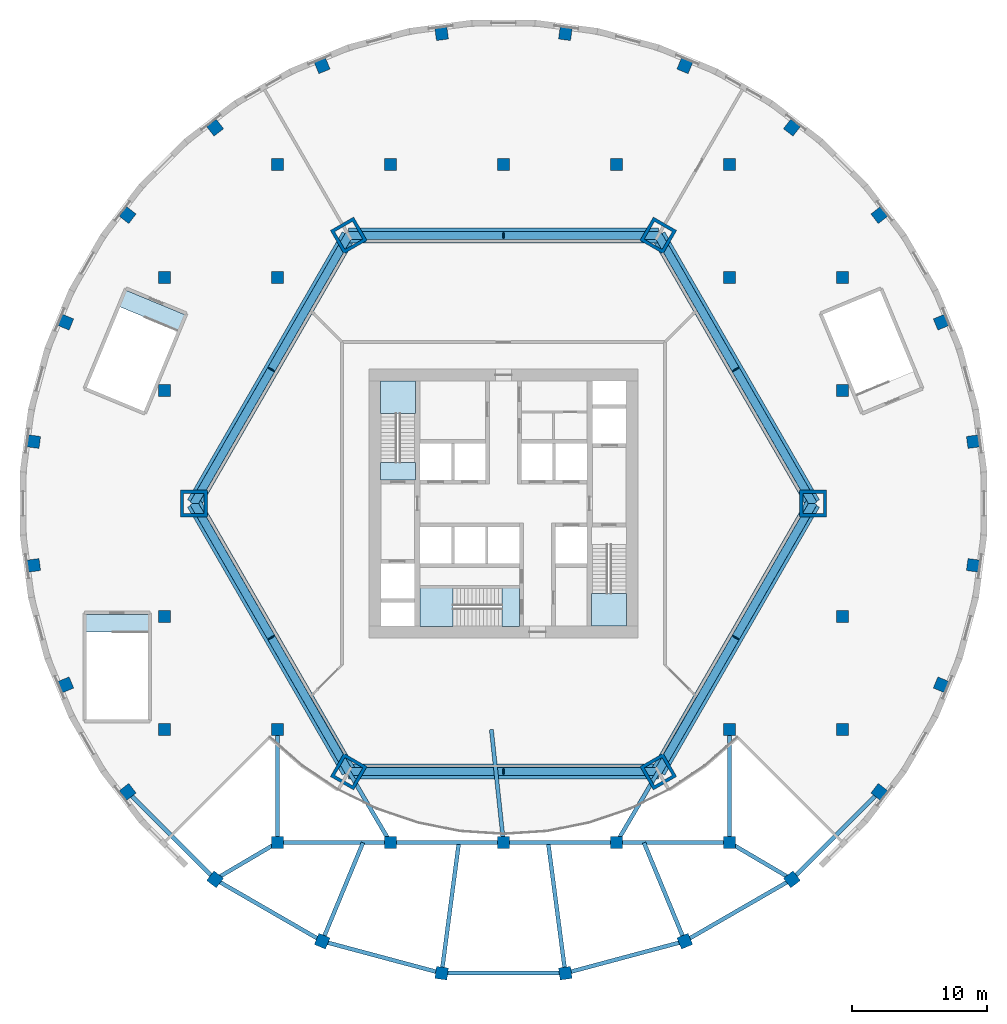
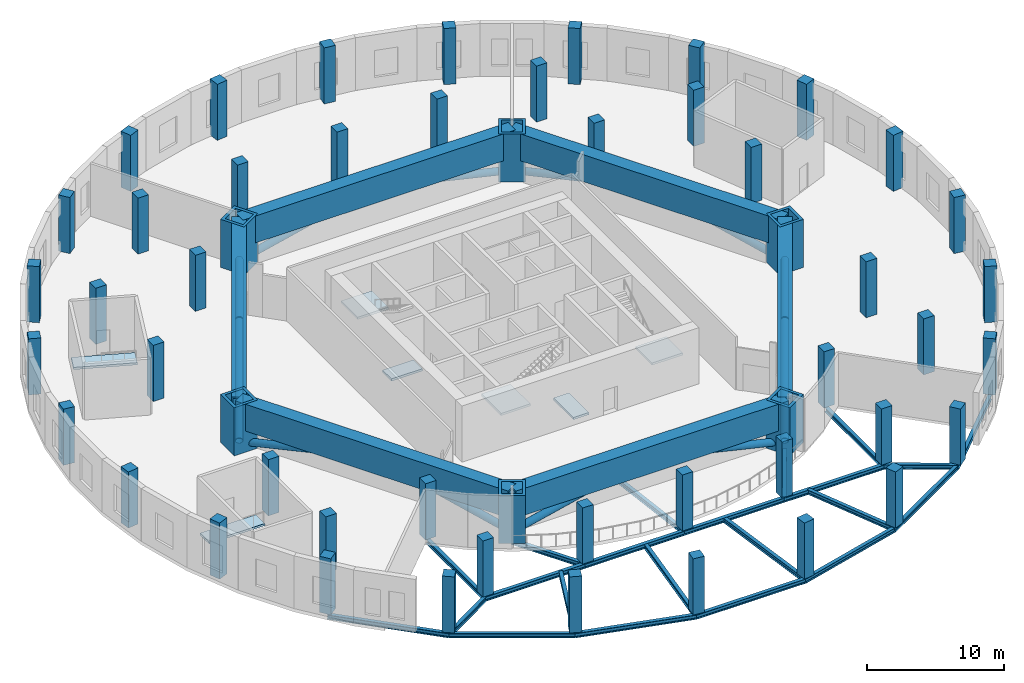
# One storey, part 1 of 10: 52 columns, 28 beams, 12 members, 7 slabs, 3 elements without a shape of their own.
"""IFC4 building model written with IfcOpenShell, lengths in metres."""

from ifc_helpers import new_model, si_unit, direction, frame, origin, origin_2d, place, context, subcontext, project, spatial, polyline, rectangle, hollow_rectangle, hollow_circle, i_section, outline, extrude, material, layer, layer_set, material_profile, profile_set, type_object, element, aggregate, save


model = new_model("IFC4")

# Units and contexts
model_context = context("Model", 3, precision=1e-05, world=origin(), true_north=direction((0.0, 1.0)))
body_context = subcontext(model_context, "Body", "Model", "MODEL_VIEW")
ifc_project = project(units=[si_unit("LENGTHUNIT", "METRE"), si_unit("AREAUNIT", "SQUARE_METRE"), si_unit("VOLUMEUNIT", "CUBIC_METRE"), si_unit("PLANEANGLEUNIT", "RADIAN"), si_unit("MASSUNIT", "GRAM", prefix="KILO")], contexts=[model_context])

# Site, building, storey
site_placement = place(None, origin())
site = spatial("IfcSite", under=ifc_project, at=site_placement, CompositionType="ELEMENT")
building_placement = place(site_placement, origin())
building = spatial("IfcBuilding", under=site, at=building_placement, Name="Golbaran Civic Tower", CompositionType="ELEMENT")
storey_placement = place(building_placement, frame((0.0, 0.0, 16.0)))
storey = spatial("IfcBuildingStorey", under=building, at=storey_placement, Name="L03", CompositionType="ELEMENT", Elevation=16.0)

# Columns
ifc_material_1 = material(Name="Steel S355", Category="steel")
ifc_material_profile_1 = material_profile(ifc_material_1, hollow_rectangle(XDim=2.0, YDim=2.0, WallThickness=0.239990234375, at=origin_2d()), Name="BOX 2000x2000x240")
ifc_profile_set_1 = profile_set([ifc_material_profile_1], Name="Steel S355")
column_type_1 = type_object("IfcColumnType", Name="MEGA COLUMN BOX 2000x2000x240", PredefinedType="COLUMN", material=ifc_profile_set_1)
for number, where, z_axis, x_axis, name in (
    (1, (23.0, 0.0, 0.0), (0.0, 0.0, 1.0), (1.0, 0.0, 0.0), "Column mega 0 L03"),
    (2, (11.5, 19.918701171875, 0.0), (0.0, 0.0, 1.0), (0.5, 0.866025403784, 0.0), "Column mega 60 L03"),
    (3, (-11.5, 19.918701171875, 0.0), (0.0, 0.0, 1.0), (-0.5, 0.866025403784, 0.0), "Column mega 120 L03"),
    (4, (-23.0, 0.0, 0.0), (0.0, 0.0, 1.0), (-1.0, 0.0, 0.0), "Column mega 180 L03"),
    (5, (-11.5, -19.918701171875, 0.0), (0.0, 0.0, 1.0), (-0.5, -0.866025403784, 0.0), "Column mega 240 L03"),
    (6, (11.5, -19.918701171875, 0.0), (0.0, 0.0, 1.0), (0.5, -0.866025403784, 0.0), "Column mega 300 L03"),
):
    element("IfcColumn", number, at=place(storey_placement, frame(where, z_axis=z_axis, x_axis=x_axis)), inside=storey, type_object=column_type_1, Name=name, PredefinedType="COLUMN", context=body_context, shape_type="SweptSolid", body=[
        extrude(hollow_rectangle(XDim=2.0, YDim=2.0, WallThickness=0.239990234375, at=origin_2d()), origin(), (0.0, 0.0, 1.0), 4.2900390625),
    ])
ifc_material_2 = material(Name="Concrete C50/60", Category="concrete")
ifc_material_profile_2 = material_profile(ifc_material_2, rectangle(XDim=0.89990234375, YDim=0.89990234375, at=origin_2d()), Name="RC 900x900")
ifc_profile_set_2 = profile_set([ifc_material_profile_2], Name="Concrete C50/60")
column_type_2 = type_object("IfcColumnType", Name="PODIUM COLUMN RC 900x900", PredefinedType="COLUMN", material=ifc_profile_set_2)
for number, where, z_axis, x_axis, name in (
    (7, (-25.199951171875, -16.800048828125, 0.0), (0.0, 0.0, 1.0), (1.0, 0.0, 0.0), "Column 3/D L03"),
    (8, (-25.199951171875, -8.39990234375, 0.0), (0.0, 0.0, 1.0), (1.0, 0.0, 0.0), "Column 3/E L03"),
    (9, (-25.199951171875, 8.39990234375, 0.0), (0.0, 0.0, 1.0), (1.0, 0.0, 0.0), "Column 3/G L03"),
    (10, (-25.199951171875, 16.800048828125, 0.0), (0.0, 0.0, 1.0), (1.0, 0.0, 0.0), "Column 3/H L03"),
    (11, (-16.800048828125, -25.199951171875, 0.0), (0.0, 0.0, 1.0), (1.0, 0.0, 0.0), "Column 4/C L03"),
    (12, (-16.800048828125, -16.800048828125, 0.0), (0.0, 0.0, 1.0), (1.0, 0.0, 0.0), "Column 4/D L03"),
    (13, (-16.800048828125, 16.800048828125, 0.0), (0.0, 0.0, 1.0), (1.0, 0.0, 0.0), "Column 4/H L03"),
    (14, (-16.800048828125, 25.199951171875, 0.0), (0.0, 0.0, 1.0), (1.0, 0.0, 0.0), "Column 4/J L03"),
    (15, (-8.39990234375, -25.199951171875, 0.0), (0.0, 0.0, 1.0), (1.0, 0.0, 0.0), "Column 5/C L03"),
    (16, (-8.39990234375, 25.199951171875, 0.0), (0.0, 0.0, 1.0), (1.0, 0.0, 0.0), "Column 5/J L03"),
    (17, (0.0, -25.199951171875, 0.0), (0.0, 0.0, 1.0), (1.0, 0.0, 0.0), "Column 6/C L03"),
    (18, (0.0, 25.199951171875, 0.0), (0.0, 0.0, 1.0), (1.0, 0.0, 0.0), "Column 6/J L03"),
    (19, (8.39990234375, -25.199951171875, 0.0), (0.0, 0.0, 1.0), (1.0, 0.0, 0.0), "Column 7/C L03"),
    (20, (8.39990234375, 25.199951171875, 0.0), (0.0, 0.0, 1.0), (1.0, 0.0, 0.0), "Column 7/J L03"),
    (21, (16.800048828125, -25.199951171875, 0.0), (0.0, 0.0, 1.0), (1.0, 0.0, 0.0), "Column 8/C L03"),
    (22, (16.800048828125, -16.800048828125, 0.0), (0.0, 0.0, 1.0), (1.0, 0.0, 0.0), "Column 8/D L03"),
    (23, (16.800048828125, 16.800048828125, 0.0), (0.0, 0.0, 1.0), (1.0, 0.0, 0.0), "Column 8/H L03"),
    (24, (16.800048828125, 25.199951171875, 0.0), (0.0, 0.0, 1.0), (1.0, 0.0, 0.0), "Column 8/J L03"),
    (25, (25.199951171875, -16.800048828125, 0.0), (0.0, 0.0, 1.0), (1.0, 0.0, 0.0), "Column 9/D L03"),
    (26, (25.199951171875, -8.39990234375, 0.0), (0.0, 0.0, 1.0), (1.0, 0.0, 0.0), "Column 9/E L03"),
    (27, (25.199951171875, 8.39990234375, 0.0), (0.0, 0.0, 1.0), (1.0, 0.0, 0.0), "Column 9/G L03"),
    (28, (25.199951171875, 16.800048828125, 0.0), (0.0, 0.0, 1.0), (1.0, 0.0, 0.0), "Column 9/H L03"),
):
    element("IfcColumn", number, at=place(storey_placement, frame(where, z_axis=z_axis, x_axis=x_axis)), inside=storey, type_object=column_type_2, Name=name, PredefinedType="COLUMN", context=body_context, shape_type="SweptSolid", body=[
        extrude(rectangle(XDim=0.89990234375, YDim=0.89990234375, at=origin_2d()), origin(), (0.0, 0.0, 1.0), 5.0),
    ])
ifc_material_profile_3 = material_profile(ifc_material_2, rectangle(XDim=0.89990234375, YDim=0.89990234375, at=origin_2d()), Name="RC 900x900")
ifc_profile_set_3 = profile_set([ifc_material_profile_3], Name="Concrete C50/60")
column_type_3 = type_object("IfcColumnType", Name="PODIUM EDGE COLUMN RC 900x900", PredefinedType="COLUMN", material=ifc_profile_set_3)
for number, where, z_axis, x_axis, name in (
    (29, (34.89892578125, 4.594482421875, 0.0), (0.0, 0.0, 1.0), (0.991444861374, 0.13052619222, 0.0), "Column edge 7.5 L03"),
    (30, (32.5205078125, 13.470458984375, 0.0), (0.0, 0.0, 1.0), (0.923879532511, 0.382683432365, 0.0), "Column edge 22.5 L03"),
    (31, (27.926025390625, 21.428466796875, 0.0), (0.0, 0.0, 1.0), (0.793353340291, 0.608761429009, 0.0), "Column edge 37.5 L03"),
    (32, (21.428466796875, 27.926025390625, 0.0), (0.0, 0.0, 1.0), (0.608761429009, 0.793353340291, 0.0), "Column edge 52.5 L03"),
    (33, (13.470458984375, 32.5205078125, 0.0), (0.0, 0.0, 1.0), (0.382683432365, 0.923879532511, 0.0), "Column edge 67.5 L03"),
    (34, (4.594482421875, 34.89892578125, 0.0), (0.0, 0.0, 1.0), (0.13052619222, 0.991444861374, 0.0), "Column edge 82.5 L03"),
    (35, (-4.594482421875, 34.89892578125, 0.0), (0.0, 0.0, 1.0), (-0.13052619222, 0.991444861374, 0.0), "Column edge 97.5 L03"),
    (36, (-13.470458984375, 32.5205078125, 0.0), (0.0, 0.0, 1.0), (-0.382683432365, 0.923879532511, 0.0), "Column edge 112.5 L03"),
    (37, (-21.428466796875, 27.926025390625, 0.0), (0.0, 0.0, 1.0), (-0.608761429009, 0.793353340291, 0.0), "Column edge 127.5 L03"),
    (38, (-27.926025390625, 21.428466796875, 0.0), (0.0, 0.0, 1.0), (-0.793353340291, 0.608761429009, 0.0), "Column edge 142.5 L03"),
    (39, (-32.5205078125, 13.470458984375, 0.0), (0.0, 0.0, 1.0), (-0.923879532511, 0.382683432365, 0.0), "Column edge 157.5 L03"),
    (40, (-34.89892578125, 4.594482421875, 0.0), (0.0, 0.0, 1.0), (-0.991444861374, 0.13052619222, 0.0), "Column edge 172.5 L03"),
    (41, (-34.89892578125, -4.594482421875, 0.0), (0.0, 0.0, 1.0), (-0.991444861374, -0.13052619222, 0.0), "Column edge 187.5 L03"),
    (42, (-32.5205078125, -13.470458984375, 0.0), (0.0, 0.0, 1.0), (-0.923879532511, -0.382683432365, 0.0), "Column edge 202.5 L03"),
    (43, (-27.926025390625, -21.428466796875, 0.0), (0.0, 0.0, 1.0), (-0.793353340291, -0.608761429009, 0.0), "Column edge 217.5 L03"),
    (44, (-21.428466796875, -27.926025390625, 0.0), (0.0, 0.0, 1.0), (-0.608761429009, -0.793353340291, 0.0), "Column edge 232.5 L03"),
    (45, (-13.470458984375, -32.5205078125, 0.0), (0.0, 0.0, 1.0), (-0.382683432365, -0.923879532511, 0.0), "Column edge 247.5 L03"),
    (46, (-4.594482421875, -34.89892578125, 0.0), (0.0, 0.0, 1.0), (-0.13052619222, -0.991444861374, 0.0), "Column edge 262.5 L03"),
    (47, (4.594482421875, -34.89892578125, 0.0), (0.0, 0.0, 1.0), (0.13052619222, -0.991444861374, 0.0), "Column edge 277.5 L03"),
    (48, (13.470458984375, -32.5205078125, 0.0), (0.0, 0.0, 1.0), (0.382683432365, -0.923879532511, 0.0), "Column edge 292.5 L03"),
    (49, (21.428466796875, -27.926025390625, 0.0), (0.0, 0.0, 1.0), (0.608761429009, -0.793353340291, 0.0), "Column edge 307.5 L03"),
    (50, (27.926025390625, -21.428466796875, 0.0), (0.0, 0.0, 1.0), (0.793353340291, -0.608761429009, 0.0), "Column edge 322.5 L03"),
    (51, (32.5205078125, -13.470458984375, 0.0), (0.0, 0.0, 1.0), (0.923879532511, -0.382683432365, 0.0), "Column edge 337.5 L03"),
    (52, (34.89892578125, -4.594482421875, 0.0), (0.0, 0.0, 1.0), (0.991444861374, -0.13052619222, 0.0), "Column edge 352.5 L03"),
):
    element("IfcColumn", number, at=place(storey_placement, frame(where, z_axis=z_axis, x_axis=x_axis)), inside=storey, type_object=column_type_3, Name=name, PredefinedType="COLUMN", context=body_context, shape_type="SweptSolid", body=[
        extrude(rectangle(XDim=0.89990234375, YDim=0.89990234375, at=origin_2d()), origin(), (0.0, 0.0, 1.0), 5.0),
    ])

# Beams
ifc_material_profile_4 = material_profile(ifc_material_1, i_section(OverallWidth=0.300048828125, OverallDepth=0.39990234375, WebThickness=0.013427734375, FlangeThickness=0.02392578125, FilletRadius=0.027099609375, at=origin_2d()), Name="HEB 400")
ifc_profile_set_4 = profile_set([ifc_material_profile_4], Name="Steel S355")
beam_type_1 = type_object("IfcBeamType", Name="ATRIUM BRACING TIE HEB 400", PredefinedType="BEAM", material=ifc_profile_set_4)
beam_1_placement = place(storey_placement, frame((-16.800048828125, -25.199951171875, -0.5), z_axis=(1.0, 0.0, 0.0), x_axis=(0.0, 1.0, 0.0)))
element("IfcBeam", 53, at=beam_1_placement, inside=storey, type_object=beam_type_1, Name="Atrium bracing tie L03 ROW 01", PredefinedType="BEAM", context=body_context, shape_type="SweptSolid", body=[
    extrude(i_section(OverallWidth=0.300048828125, OverallDepth=0.39990234375, WebThickness=0.013427734375, FlangeThickness=0.02392578125, FilletRadius=0.027099609375, at=origin_2d()), origin(), (0.0, 0.0, 1.0), 8.400146484375),
])
for number, where, z_axis, x_axis, name in (
    (54, (-8.39990234375, -25.199951171875, -0.5), (1.0, 0.0, 0.0), (0.0, 1.0, 0.0), "Atrium bracing tie L03 ROW 02"),
    (55, (0.0, -25.199951171875, -0.5), (1.0, 0.0, 0.0), (0.0, 1.0, 0.0), "Atrium bracing tie L03 ROW 03"),
):
    element("IfcBeam", number, at=place(storey_placement, frame(where, z_axis=z_axis, x_axis=x_axis)), inside=storey, type_object=beam_type_1, Name=name, PredefinedType="BEAM", context=body_context, shape_type="SweptSolid", body=[
        extrude(i_section(OverallWidth=0.300048828125, OverallDepth=0.39990234375, WebThickness=0.013427734375, FlangeThickness=0.02392578125, FilletRadius=0.027099609375, at=origin_2d()), origin(), (0.0, 0.0, 1.0), 8.39990234375),
    ])
beam_2_placement = place(storey_placement, frame((8.39990234375, -25.199951171875, -0.5), z_axis=(1.0, 0.0, 0.0), x_axis=(0.0, 1.0, 0.0)))
element("IfcBeam", 56, at=beam_2_placement, inside=storey, type_object=beam_type_1, Name="Atrium bracing tie L03 ROW 04", PredefinedType="BEAM", context=body_context, shape_type="SweptSolid", body=[
    extrude(i_section(OverallWidth=0.300048828125, OverallDepth=0.39990234375, WebThickness=0.013427734375, FlangeThickness=0.02392578125, FilletRadius=0.027099609375, at=origin_2d()), origin(), (0.0, 0.0, 1.0), 8.400146484375),
])
for number, where, z_axis, x_axis, name in (
    (57, (-27.926025390625, -21.428466796875, -0.5), (0.707106781187, -0.707106781187, 0.0), (0.707106781187, 0.707106781187, 0.0), "Atrium bracing tie L03 RING 01"),
    (58, (-21.428466796875, -27.926025390625, -0.5), (0.86602896297, -0.49999383526, 0.0), (0.49999383526, 0.86602896297, 0.0), "Atrium bracing tie L03 RING 02"),
):
    element("IfcBeam", number, at=place(storey_placement, frame(where, z_axis=z_axis, x_axis=x_axis)), inside=storey, type_object=beam_type_1, Name=name, PredefinedType="BEAM", context=body_context, shape_type="SweptSolid", body=[
        extrude(i_section(OverallWidth=0.300048828125, OverallDepth=0.39990234375, WebThickness=0.013427734375, FlangeThickness=0.02392578125, FilletRadius=0.027099609375, at=origin_2d()), origin(), (0.0, 0.0, 1.0), 9.18896484375),
    ])
beam_3_placement = place(storey_placement, frame((-13.470458984375, -32.5205078125, -0.5), z_axis=(0.965922909277, -0.258829931295, 0.0), x_axis=(0.258829931295, 0.965922909277, 0.0)))
element("IfcBeam", 59, at=beam_3_placement, inside=storey, type_object=beam_type_1, Name="Atrium bracing tie L03 RING 03", PredefinedType="BEAM", context=body_context, shape_type="SweptSolid", body=[
    extrude(i_section(OverallWidth=0.300048828125, OverallDepth=0.39990234375, WebThickness=0.013427734375, FlangeThickness=0.02392578125, FilletRadius=0.027099609375, at=origin_2d()), origin(), (0.0, 0.0, 1.0), 9.189208984375),
])
beam_4_placement = place(storey_placement, frame((-4.594482421875, -34.89892578125, -0.5), z_axis=(1.0, 0.0, 0.0), x_axis=(0.0, 1.0, 0.0)))
element("IfcBeam", 60, at=beam_4_placement, inside=storey, type_object=beam_type_1, Name="Atrium bracing tie L03 RING 04", PredefinedType="BEAM", context=body_context, shape_type="SweptSolid", body=[
    extrude(i_section(OverallWidth=0.300048828125, OverallDepth=0.39990234375, WebThickness=0.013427734375, FlangeThickness=0.02392578125, FilletRadius=0.027099609375, at=origin_2d()), origin(), (0.0, 0.0, 1.0), 9.18896484375),
])
beam_5_placement = place(storey_placement, frame((4.594482421875, -34.89892578125, -0.5), z_axis=(0.965922909277, 0.258829931295, 0.0), x_axis=(-0.258829931295, 0.965922909277, 0.0)))
element("IfcBeam", 61, at=beam_5_placement, inside=storey, type_object=beam_type_1, Name="Atrium bracing tie L03 RING 05", PredefinedType="BEAM", context=body_context, shape_type="SweptSolid", body=[
    extrude(i_section(OverallWidth=0.300048828125, OverallDepth=0.39990234375, WebThickness=0.013427734375, FlangeThickness=0.02392578125, FilletRadius=0.027099609375, at=origin_2d()), origin(), (0.0, 0.0, 1.0), 9.189208984375),
])
for number, where, z_axis, x_axis, name in (
    (62, (13.470458984375, -32.5205078125, -0.5), (0.86602896297, 0.49999383526, 0.0), (-0.49999383526, 0.86602896297, 0.0), "Atrium bracing tie L03 RING 06"),
    (63, (21.428466796875, -27.926025390625, -0.5), (0.707106781187, 0.707106781187, 0.0), (-0.707106781187, 0.707106781187, 0.0), "Atrium bracing tie L03 RING 07"),
):
    element("IfcBeam", number, at=place(storey_placement, frame(where, z_axis=z_axis, x_axis=x_axis)), inside=storey, type_object=beam_type_1, Name=name, PredefinedType="BEAM", context=body_context, shape_type="SweptSolid", body=[
        extrude(i_section(OverallWidth=0.300048828125, OverallDepth=0.39990234375, WebThickness=0.013427734375, FlangeThickness=0.02392578125, FilletRadius=0.027099609375, at=origin_2d()), origin(), (0.0, 0.0, 1.0), 9.18896484375),
    ])
beam_6_placement = place(storey_placement, frame((-16.800048828125, -25.199951171875, -0.5), z_axis=(0.0, 1.0, 0.0), x_axis=(-1.0, 0.0, 0.0)))
element("IfcBeam", 64, at=beam_6_placement, inside=storey, type_object=beam_type_1, Name="Atrium bracing tie L03 GR 4C", PredefinedType="BEAM", context=body_context, shape_type="SweptSolid", body=[
    extrude(i_section(OverallWidth=0.300048828125, OverallDepth=0.39990234375, WebThickness=0.013427734375, FlangeThickness=0.02392578125, FilletRadius=0.027099609375, at=origin_2d()), origin(), (0.0, 0.0, 1.0), 8.39990234375),
])
beam_7_placement = place(storey_placement, frame((-8.39990234375, -25.199951171875, -0.5), z_axis=(-0.506228930688, 0.862399135977, 0.0), x_axis=(-0.862399135977, -0.506228930688, 0.0)))
element("IfcBeam", 65, at=beam_7_placement, inside=storey, type_object=beam_type_1, Name="Atrium bracing tie L03 GR 5C", PredefinedType="BEAM", context=body_context, shape_type="SweptSolid", body=[
    extrude(i_section(OverallWidth=0.300048828125, OverallDepth=0.39990234375, WebThickness=0.013427734375, FlangeThickness=0.02392578125, FilletRadius=0.027099609375, at=origin_2d()), origin(), (0.0, 0.0, 1.0), 6.1240234375),
])
beam_8_placement = place(storey_placement, frame((0.0, -25.199951171875, -0.5), z_axis=(-0.106522919579, 0.994310247159, 0.0), x_axis=(-0.994310247159, -0.106522919579, 0.0)))
element("IfcBeam", 66, at=beam_8_placement, inside=storey, type_object=beam_type_1, Name="Atrium bracing tie L03 GR 6C", PredefinedType="BEAM", context=body_context, shape_type="SweptSolid", body=[
    extrude(i_section(OverallWidth=0.300048828125, OverallDepth=0.39990234375, WebThickness=0.013427734375, FlangeThickness=0.02392578125, FilletRadius=0.027099609375, at=origin_2d()), origin(), (0.0, 0.0, 1.0), 8.447998046875),
])
beam_9_placement = place(storey_placement, frame((8.39990234375, -25.199951171875, -0.5), z_axis=(0.506228930688, 0.862399135977, 0.0), x_axis=(-0.862399135977, 0.506228930688, 0.0)))
element("IfcBeam", 67, at=beam_9_placement, inside=storey, type_object=beam_type_1, Name="Atrium bracing tie L03 GR 7C", PredefinedType="BEAM", context=body_context, shape_type="SweptSolid", body=[
    extrude(i_section(OverallWidth=0.300048828125, OverallDepth=0.39990234375, WebThickness=0.013427734375, FlangeThickness=0.02392578125, FilletRadius=0.027099609375, at=origin_2d()), origin(), (0.0, 0.0, 1.0), 6.1240234375),
])
beam_10_placement = place(storey_placement, frame((16.800048828125, -25.199951171875, -0.5), z_axis=(0.0, 1.0, 0.0), x_axis=(-1.0, 0.0, 0.0)))
element("IfcBeam", 68, at=beam_10_placement, inside=storey, type_object=beam_type_1, Name="Atrium bracing tie L03 GR 8C", PredefinedType="BEAM", context=body_context, shape_type="SweptSolid", body=[
    extrude(i_section(OverallWidth=0.300048828125, OverallDepth=0.39990234375, WebThickness=0.013427734375, FlangeThickness=0.02392578125, FilletRadius=0.027099609375, at=origin_2d()), origin(), (0.0, 0.0, 1.0), 8.39990234375),
])
beam_11_placement = place(storey_placement, frame((-21.428466796875, -27.926025390625, -0.5), z_axis=(0.861651329698, 0.507500725151, 0.0), x_axis=(-0.507500725151, 0.861651329698, 0.0)))
element("IfcBeam", 69, at=beam_11_placement, inside=storey, type_object=beam_type_1, Name="Atrium bracing tie L03 ER 2325", PredefinedType="BEAM", context=body_context, shape_type="SweptSolid", body=[
    extrude(i_section(OverallWidth=0.300048828125, OverallDepth=0.39990234375, WebThickness=0.013427734375, FlangeThickness=0.02392578125, FilletRadius=0.027099609375, at=origin_2d()), origin(), (0.0, 0.0, 1.0), 5.37158203125),
])
beam_12_placement = place(storey_placement, frame((-13.470458984375, -32.5205078125, -0.5), z_axis=(0.382678339047, 0.923881642216, 0.0), x_axis=(-0.923881642216, 0.382678339047, 0.0)))
element("IfcBeam", 70, at=beam_12_placement, inside=storey, type_object=beam_type_1, Name="Atrium bracing tie L03 ER 2475", PredefinedType="BEAM", context=body_context, shape_type="SweptSolid", body=[
    extrude(i_section(OverallWidth=0.300048828125, OverallDepth=0.39990234375, WebThickness=0.013427734375, FlangeThickness=0.02392578125, FilletRadius=0.027099609375, at=origin_2d()), origin(), (0.0, 0.0, 1.0), 7.923583984375),
])
for number, where, z_axis, x_axis, name in (
    (71, (-4.594482421875, -34.89892578125, -0.5), (0.130522297348, 0.991445374136, 0.0), (-0.991445374136, 0.130522297348, 0.0), "Atrium bracing tie L03 ER 2625"),
    (72, (4.594482421875, -34.89892578125, -0.5), (-0.130522297348, 0.991445374136, 0.0), (-0.991445374136, -0.130522297348, 0.0), "Atrium bracing tie L03 ER 2775"),
):
    element("IfcBeam", number, at=place(storey_placement, frame(where, z_axis=z_axis, x_axis=x_axis)), inside=storey, type_object=beam_type_1, Name=name, PredefinedType="BEAM", context=body_context, shape_type="SweptSolid", body=[
        extrude(i_section(OverallWidth=0.300048828125, OverallDepth=0.39990234375, WebThickness=0.013427734375, FlangeThickness=0.02392578125, FilletRadius=0.027099609375, at=origin_2d()), origin(), (0.0, 0.0, 1.0), 9.78271484375),
    ])
beam_13_placement = place(storey_placement, frame((13.470458984375, -32.5205078125, -0.5), z_axis=(-0.382678339047, 0.923881642216, 0.0), x_axis=(-0.923881642216, -0.382678339047, 0.0)))
element("IfcBeam", 73, at=beam_13_placement, inside=storey, type_object=beam_type_1, Name="Atrium bracing tie L03 ER 2925", PredefinedType="BEAM", context=body_context, shape_type="SweptSolid", body=[
    extrude(i_section(OverallWidth=0.300048828125, OverallDepth=0.39990234375, WebThickness=0.013427734375, FlangeThickness=0.02392578125, FilletRadius=0.027099609375, at=origin_2d()), origin(), (0.0, 0.0, 1.0), 7.923583984375),
])
beam_14_placement = place(storey_placement, frame((21.428466796875, -27.926025390625, -0.5), z_axis=(-0.861651329698, 0.507500725151, 0.0), x_axis=(-0.507500725151, -0.861651329698, 0.0)))
element("IfcBeam", 74, at=beam_14_placement, inside=storey, type_object=beam_type_1, Name="Atrium bracing tie L03 ER 3075", PredefinedType="BEAM", context=body_context, shape_type="SweptSolid", body=[
    extrude(i_section(OverallWidth=0.300048828125, OverallDepth=0.39990234375, WebThickness=0.013427734375, FlangeThickness=0.02392578125, FilletRadius=0.027099609375, at=origin_2d()), origin(), (0.0, 0.0, 1.0), 5.37158203125),
])
ifc_material_profile_5 = material_profile(ifc_material_1, hollow_rectangle(XDim=1.10009765625, YDim=2.39990234375, WallThickness=0.110107421875, at=origin_2d()), Name="BOX 2400x1100x110")
ifc_profile_set_5 = profile_set([ifc_material_profile_5], Name="Steel S355")
beam_type_2 = type_object("IfcBeamType", Name="TRANSFER GIRDER BOX 2400x1100x110", PredefinedType="BEAM", material=ifc_profile_set_5)
for number, where, z_axis, x_axis, name in (
    (75, (23.0, 0.0, 3.090087890625), (-0.499997799459, 0.866026674263, 0.0), (-0.866026674263, -0.499997799459, 0.0), "Transfer girder TG1"),
    (76, (11.5, 19.918701171875, 3.090087890625), (-1.0, 0.0, 0.0), (0.0, -1.0, 0.0), "Transfer girder TG2"),
    (77, (-11.5, 19.918701171875, 3.090087890625), (-0.499997799459, -0.866026674263, 0.0), (0.866026674263, -0.499997799459, 0.0), "Transfer girder TG3"),
    (78, (-23.0, 0.0, 3.090087890625), (0.499997799459, -0.866026674263, 0.0), (0.866026674263, 0.499997799459, 0.0), "Transfer girder TG4"),
    (79, (-11.5, -19.918701171875, 3.090087890625), (1.0, 0.0, 0.0), (0.0, 1.0, 0.0), "Transfer girder TG5"),
    (80, (11.5, -19.918701171875, 3.090087890625), (0.499997799459, 0.866026674263, 0.0), (-0.866026674263, 0.499997799459, 0.0), "Transfer girder TG6"),
):
    element("IfcBeam", number, at=place(storey_placement, frame(where, z_axis=z_axis, x_axis=x_axis)), inside=storey, type_object=beam_type_2, Name=name, PredefinedType="BEAM", context=body_context, shape_type="SweptSolid", body=[
        extrude(hollow_rectangle(XDim=1.10009765625, YDim=2.39990234375, WallThickness=0.110107421875, at=origin_2d()), origin(), (0.0, 0.0, 1.0), 23.0),
    ])

# Members
ifc_material_profile_6 = material_profile(ifc_material_1, hollow_circle(Radius=0.304931640625, WallThickness=0.030029296875, at=origin_2d()), Name="CHS 610.0x30")
ifc_profile_set_6 = profile_set([ifc_material_profile_6], Name="Steel S355")
member_type = type_object("IfcMemberType", Name="TRANSFER STRUT CHS 610.0x30", PredefinedType="STRUT", material=ifc_profile_set_6)
member_1_placement = place(storey_placement, frame((23.0, 0.0, 0.39990234375), z_axis=(-0.48685854605, 0.843258350416, 0.227780838949), x_axis=(-0.866024020559, -0.500002395808, 0.0)))
element("IfcMember", 81, at=member_1_placement, inside=storey, type_object=member_type, Name="Transfer strut TS1 G1a", PredefinedType="STRUT", context=body_context, shape_type="SweptSolid", body=[
    extrude(hollow_circle(Radius=0.304931640625, WallThickness=0.030029296875, at=origin_2d()), origin(), (0.0, 0.0, 1.0), 11.810302734375),
])
for number, where, z_axis, x_axis, name in (
    (82, (11.5, 19.918701171875, 0.39990234375), (0.486850059475, -0.843264322615, 0.227776868434), (0.866029327894, 0.499993203181, 0.0), "Transfer strut TS1 G1b"),
    (83, (11.5, 19.918701171875, 0.39990234375), (-0.973712668514, 0.0, 0.227779804143), (0.0, -1.0, 0.0), "Transfer strut TS1 G2a"),
    (84, (-11.5, 19.918701171875, 0.39990234375), (0.973712668514, 0.0, 0.227779804143), (0.0, 1.0, 0.0), "Transfer strut TS1 G2b"),
    (85, (-11.5, 19.918701171875, 0.39990234375), (-0.486850059475, -0.843264322615, 0.227776868434), (0.866029327894, -0.499993203181, 0.0), "Transfer strut TS1 G3a"),
):
    element("IfcMember", number, at=place(storey_placement, frame(where, z_axis=z_axis, x_axis=x_axis)), inside=storey, type_object=member_type, Name=name, PredefinedType="STRUT", context=body_context, shape_type="SweptSolid", body=[
        extrude(hollow_circle(Radius=0.304931640625, WallThickness=0.030029296875, at=origin_2d()), origin(), (0.0, 0.0, 1.0), 11.810546875),
    ])
for number, where, z_axis, x_axis, name in (
    (86, (-23.0, 0.0, 0.39990234375), (0.48685854605, 0.843258350416, 0.227780838949), (-0.866024020559, 0.500002395808, 0.0), "Transfer strut TS1 G3b"),
    (87, (-23.0, 0.0, 0.39990234375), (0.48685854605, -0.843258350416, 0.227780838949), (0.866024020559, 0.500002395808, 0.0), "Transfer strut TS1 G4a"),
):
    element("IfcMember", number, at=place(storey_placement, frame(where, z_axis=z_axis, x_axis=x_axis)), inside=storey, type_object=member_type, Name=name, PredefinedType="STRUT", context=body_context, shape_type="SweptSolid", body=[
        extrude(hollow_circle(Radius=0.304931640625, WallThickness=0.030029296875, at=origin_2d()), origin(), (0.0, 0.0, 1.0), 11.810302734375),
    ])
for number, where, z_axis, x_axis, name in (
    (88, (-11.5, -19.918701171875, 0.39990234375), (-0.486850059475, 0.843264322615, 0.227776868434), (-0.866029327894, -0.499993203181, 0.0), "Transfer strut TS1 G4b"),
    (89, (-11.5, -19.918701171875, 0.39990234375), (0.973712668514, 0.0, 0.227779804143), (0.0, 1.0, 0.0), "Transfer strut TS1 G5a"),
    (90, (11.5, -19.918701171875, 0.39990234375), (-0.973712668514, 0.0, 0.227779804143), (0.0, -1.0, 0.0), "Transfer strut TS1 G5b"),
    (91, (11.5, -19.918701171875, 0.39990234375), (0.486850059475, 0.843264322615, 0.227776868434), (-0.866029327894, 0.499993203181, 0.0), "Transfer strut TS1 G6a"),
):
    element("IfcMember", number, at=place(storey_placement, frame(where, z_axis=z_axis, x_axis=x_axis)), inside=storey, type_object=member_type, Name=name, PredefinedType="STRUT", context=body_context, shape_type="SweptSolid", body=[
        extrude(hollow_circle(Radius=0.304931640625, WallThickness=0.030029296875, at=origin_2d()), origin(), (0.0, 0.0, 1.0), 11.810546875),
    ])
member_2_placement = place(storey_placement, frame((23.0, 0.0, 0.39990234375), z_axis=(-0.48685854605, -0.843258350416, 0.227780838949), x_axis=(0.866024020559, -0.500002395808, 0.0)))
element("IfcMember", 92, at=member_2_placement, inside=storey, type_object=member_type, Name="Transfer strut TS1 G6b", PredefinedType="STRUT", context=body_context, shape_type="SweptSolid", body=[
    extrude(hollow_circle(Radius=0.304931640625, WallThickness=0.030029296875, at=origin_2d()), origin(), (0.0, 0.0, 1.0), 11.810302734375),
])

# Stair, slab
ifc_material_3 = material(Name="Concrete C35/45", Category="concrete")
stair_type_1 = type_object("IfcStairType", Name="EXIT STAIR 2500 x 7350, 5000 RISE", PredefinedType="HALF_TURN_STAIR", material=ifc_material_3)
stair_1_placement = place(storey_placement, origin())
stair_1 = element("IfcStair", 93, at=stair_1_placement, inside=storey, type_object=stair_type_1, Name="Stair S1 L03", PredefinedType="HALF_TURN_STAIR")
ifc_layer = layer(ifc_material_3, 0.199951171875, Name="Concrete C35/45")
ifc_layer_set = layer_set([ifc_layer], Name="Concrete C35/45")
slab_type = type_object("IfcSlabType", Name="STAIR LANDING 200", PredefinedType="LANDING", material=ifc_layer_set)
slab_1_placement = place(storey_placement, frame((0.0, 0.0, 2.300048828125)))
slab_1 = element("IfcSlab", 94, at=slab_1_placement, type_object=slab_type, Name="ST25074-50 landing 1", PredefinedType="LANDING", context=body_context, shape_type="SweptSolid", body=[
    extrude(outline(polyline([(-9.14990234375, 6.68505859375), (-9.14990234375, 9.10009765625), (-6.550048828125, 9.10009765625), (-6.550048828125, 6.68505859375), (-9.14990234375, 6.68505859375)])), origin(), (0.0, 0.0, 1.0), 0.199951171875),
])
aggregate(stair_1, [slab_1])

# Slab
slab_2_placement = place(storey_placement, frame((0.0, 0.0, -0.199951171875)))
element("IfcSlab", 95, at=slab_2_placement, inside=storey, type_object=slab_type, Name="Stair S1 floor landing L03", PredefinedType="LANDING", context=body_context, shape_type="SweptSolid", body=[
    extrude(outline(polyline([(-9.14990234375, 1.75), (-9.14990234375, 3.054931640625), (-6.550048828125, 3.054931640625), (-6.550048828125, 1.75), (-9.14990234375, 1.75)])), origin(), (0.0, 0.0, 1.0), 0.199951171875),
])

# Stair, slab
stair_2_placement = place(storey_placement, origin())
stair_2 = element("IfcStair", 96, at=stair_2_placement, inside=storey, type_object=stair_type_1, Name="Stair S2 L03", PredefinedType="HALF_TURN_STAIR")
slab_3_placement = place(storey_placement, frame((0.0, 0.0, 2.300048828125)))
slab_3 = element("IfcSlab", 97, at=slab_3_placement, type_object=slab_type, Name="ST25074-50 landing 1", PredefinedType="LANDING", context=body_context, shape_type="SweptSolid", body=[
    extrude(outline(polyline([(9.14990234375, -6.68505859375), (9.14990234375, -9.10009765625), (6.550048828125, -9.10009765625), (6.550048828125, -6.68505859375), (9.14990234375, -6.68505859375)])), origin(), (0.0, 0.0, 1.0), 0.199951171875),
])
aggregate(stair_2, [slab_3])

stair_type_2 = type_object("IfcStairType", Name="EXIT STAIR 2800 x 7400, 5000 RISE", PredefinedType="HALF_TURN_STAIR", material=ifc_material_3)
stair_3_placement = place(storey_placement, origin())
stair_3 = element("IfcStair", 98, at=stair_3_placement, inside=storey, type_object=stair_type_2, Name="Stair S3 L03", PredefinedType="HALF_TURN_STAIR")
slab_4_placement = place(storey_placement, frame((0.0, 0.0, 2.300048828125)))
slab_4 = element("IfcSlab", 99, at=slab_4_placement, type_object=slab_type, Name="ST28074-50 landing 1", PredefinedType="LANDING", context=body_context, shape_type="SweptSolid", body=[
    extrude(outline(polyline([(-3.735107421875, -9.14990234375), (-6.199951171875, -9.14990234375), (-6.199951171875, -6.25), (-3.735107421875, -6.25), (-3.735107421875, -9.14990234375)])), origin(), (0.0, 0.0, 1.0), 0.199951171875),
])
aggregate(stair_3, [slab_4])

# Slabs
slab_5_placement = place(storey_placement, frame((0.0, 0.0, -0.199951171875)))
element("IfcSlab", 100, at=slab_5_placement, inside=storey, type_object=slab_type, Name="Stair S3 floor landing L03", PredefinedType="LANDING", context=body_context, shape_type="SweptSolid", body=[
    extrude(outline(polyline([(1.199951171875, -9.14990234375), (-0.10498046875, -9.14990234375), (-0.10498046875, -6.25), (1.199951171875, -6.25), (1.199951171875, -9.14990234375)])), origin(), (0.0, 0.0, 1.0), 0.199951171875),
])
slab_6_placement = place(storey_placement, frame((0.0, 0.0, -0.199951171875)))
element("IfcSlab", 101, at=slab_6_placement, inside=storey, type_object=slab_type, Name="Stair P2 floor landing L03", PredefinedType="LANDING", context=body_context, shape_type="SweptSolid", body=[
    extrude(outline(polyline([(-23.683349609375, 14.03125), (-24.1826171875, 12.82568359375), (-28.52490234375, 14.624267578125), (-28.025390625, 15.829833984375), (-23.683349609375, 14.03125)])), origin(), (0.0, 0.0, 1.0), 0.199951171875),
])
slab_7_placement = place(storey_placement, frame((0.0, 0.0, -0.199951171875)))
element("IfcSlab", 102, at=slab_7_placement, inside=storey, type_object=slab_type, Name="Stair P3 floor landing L03", PredefinedType="LANDING", context=body_context, shape_type="SweptSolid", body=[
    extrude(outline(polyline([(-26.35009765625, -8.25), (-26.35009765625, -9.554931640625), (-31.050048828125, -9.554931640625), (-31.050048828125, -8.25), (-26.35009765625, -8.25)])), origin(), (0.0, 0.0, 1.0), 0.199951171875),
])

save(model, "model.ifc")
